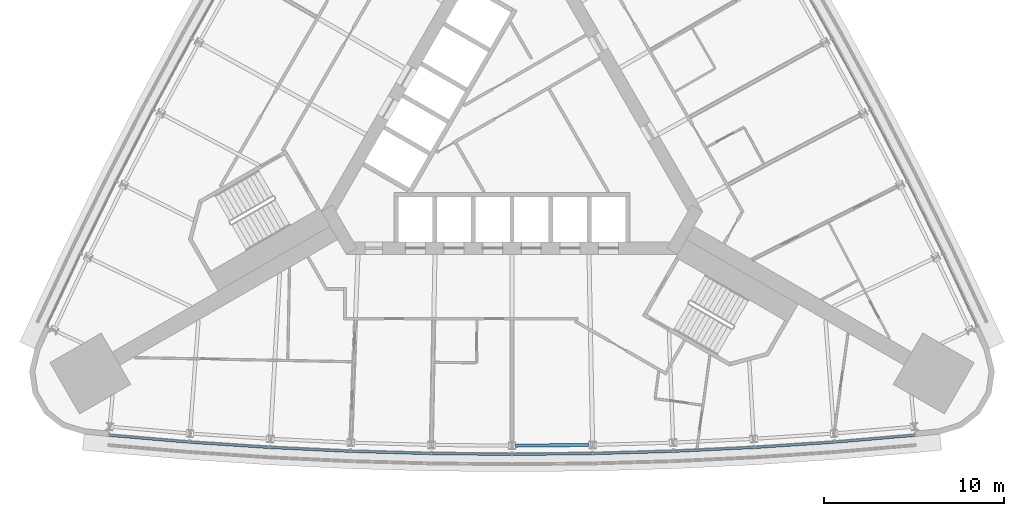
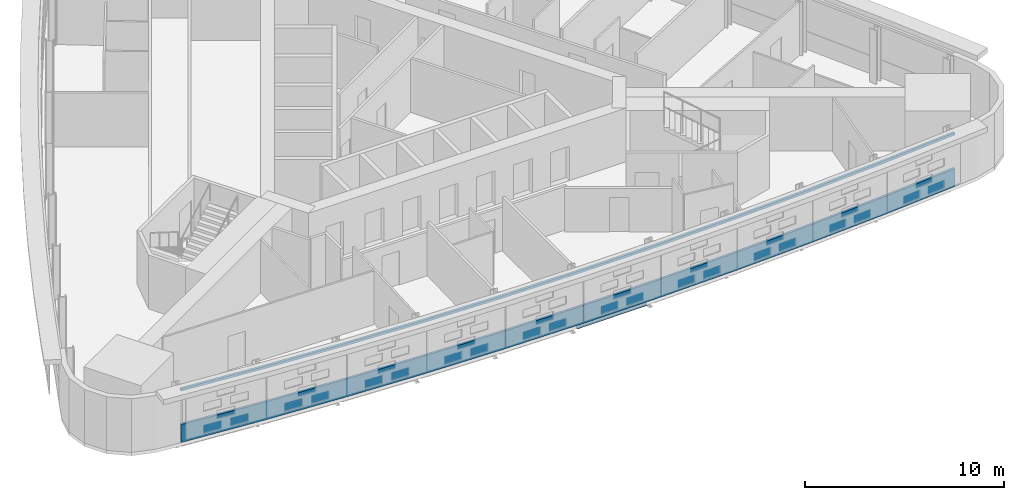
# One storey, part 3 of 15: 2 members, 1 beam, 1 element without a shape of its own.
"""IFC4 building model written with IfcOpenShell, lengths in metres."""

from ifc_helpers import new_model, si_unit, direction, frame, origin, origin_2d, place, context, subcontext, project, spatial, polyline, i_section, outline, extrude, material, material_profile, profile_set, type_object, element, aggregate, save


model = new_model("IFC4")

# Units and contexts
model_context = context("Model", 3, precision=1e-05, world=origin(), true_north=direction((0.0, 1.0)))
body_context = subcontext(model_context, "Body", "Model", "MODEL_VIEW")
ifc_project = project(units=[si_unit("LENGTHUNIT", "METRE"), si_unit("AREAUNIT", "SQUARE_METRE"), si_unit("VOLUMEUNIT", "CUBIC_METRE"), si_unit("PLANEANGLEUNIT", "RADIAN"), si_unit("MASSUNIT", "GRAM", prefix="KILO")], contexts=[model_context])

# Site, building, storey
site_placement = place(None, origin())
site = spatial("IfcSite", under=ifc_project, at=site_placement, CompositionType="ELEMENT")
building_placement = place(site_placement, origin())
building = spatial("IfcBuilding", under=site, at=building_placement, Name="Noor Cloister Tower", CompositionType="ELEMENT")
storey_placement = place(building_placement, frame((0.0, 0.0, 49.199951171875)))
storey = spatial("IfcBuildingStorey", under=building, at=storey_placement, Name="L12", CompositionType="ELEMENT", Elevation=49.199951171875)

# Curtain wall, members
ifc_material_1 = material(Name="Aluminium 6063-T6 anodised", Category="aluminium")
curtain_wall_type = type_object("IfcCurtainWallType", Name="Ribbon curtain wall, lower tower CW1", PredefinedType="NOTDEFINED", material=ifc_material_1)
curtain_wall_placement = place(storey_placement, origin())
curtain_wall = element("IfcCurtainWall", 1, at=curtain_wall_placement, inside=storey, type_object=curtain_wall_type, Name="CW1 L12 S run 2", PredefinedType="NOTDEFINED")
ifc_material_2 = material(Name="Aluminium 6063-T6 anodised", Category="aluminium")
member_type_1 = type_object("IfcMemberType", Name="Head transom CW1 150", PredefinedType="USERDEFINED", material=ifc_material_2)
member_1_placement = place(storey_placement, frame((0.0, 0.0, 3.150146484375)))
member_1 = element("IfcMember", 2, at=member_1_placement, type_object=member_type_1, Name="CW1 head transom", ObjectType="TRANSOM", PredefinedType="USERDEFINED", context=body_context, shape_type="SweptSolid", body=[
    extrude(outline(polyline([(-22.466552734375, -17.06787109375), (-17.98291015625, -17.450439453125), (-13.49267578125, -17.748291015625), (-8.997802734375, -17.9609375), (-4.499755859375, -18.088623046875), (0.0, -18.131103515625), (4.499755859375, -18.088623046875), (8.997802734375, -17.9609375), (13.49267578125, -17.748291015625), (17.98291015625, -17.450439453125), (22.466552734375, -17.06787109375), (22.45458984375, -16.928466796875), (17.97216796875, -17.31103515625), (13.48486328125, -17.6083984375), (8.99267578125, -17.821044921875), (4.4970703125, -17.94873046875), (0.0, -17.9912109375), (-4.4970703125, -17.94873046875), (-8.99267578125, -17.821044921875), (-13.48486328125, -17.6083984375), (-17.97216796875, -17.31103515625), (-22.45458984375, -16.928466796875), (-22.466552734375, -17.06787109375)])), origin(), (0.0, 0.0, 1.0), 0.14990234375),
])
ifc_material_3 = material(Name="Aluminium 6063-T6 anodised", Category="aluminium")
member_type_2 = type_object("IfcMemberType", Name="Sill transom CW1 1100", PredefinedType="USERDEFINED", material=ifc_material_3)
member_2_placement = place(storey_placement, origin())
member_2 = element("IfcMember", 3, at=member_2_placement, type_object=member_type_2, Name="CW1 sill transom", ObjectType="TRANSOM", PredefinedType="USERDEFINED", context=body_context, shape_type="SweptSolid", body=[
    extrude(outline(polyline([(-22.466552734375, -17.06787109375), (-17.98291015625, -17.450439453125), (-13.49267578125, -17.748291015625), (-8.997802734375, -17.9609375), (-4.499755859375, -18.088623046875), (0.0, -18.131103515625), (4.499755859375, -18.088623046875), (8.997802734375, -17.9609375), (13.49267578125, -17.748291015625), (17.98291015625, -17.450439453125), (22.466552734375, -17.06787109375), (22.45458984375, -16.928466796875), (17.97216796875, -17.31103515625), (13.48486328125, -17.6083984375), (8.99267578125, -17.821044921875), (4.4970703125, -17.94873046875), (0.0, -17.9912109375), (-4.4970703125, -17.94873046875), (-8.99267578125, -17.821044921875), (-13.48486328125, -17.6083984375), (-17.97216796875, -17.31103515625), (-22.45458984375, -16.928466796875), (-22.466552734375, -17.06787109375)])), origin(), (0.0, 0.0, 1.0), 1.10009765625),
])
aggregate(curtain_wall, [member_2, member_1])

# Beam
ifc_material_4 = material(Name="Steel ASTM A992 Gr 50", Category="steel")
ifc_material_profile = material_profile(ifc_material_4, i_section(OverallWidth=0.177978515625, OverallDepth=0.406005859375, WebThickness=0.0078125, FlangeThickness=0.0126953125, FilletRadius=0.01025390625, at=origin_2d()), Name="W410x60")
ifc_profile_set = profile_set([ifc_material_profile], Name="Steel ASTM A992 Gr 50")
beam_type = type_object("IfcBeamType", Name="Spandrel beam W410x60", PredefinedType="SPANDREL", material=ifc_profile_set)
beam_placement = place(storey_placement, frame((0.201904296875, -17.579345703125, -0.40283203125), z_axis=(0.999954862727, 0.009501184605, 0.0), x_axis=(-0.009501184605, 0.999954862727, 0.0)))
element("IfcBeam", 4, at=beam_placement, inside=storey, type_object=beam_type, Name="Spandrel beam S 06 L12", PredefinedType="SPANDREL", context=body_context, shape_type="SweptSolid", body=[
    extrude(i_section(OverallWidth=0.177978515625, OverallDepth=0.406005859375, WebThickness=0.0078125, FlangeThickness=0.0126953125, FilletRadius=0.01025390625, at=origin_2d()), origin(), (0.0, 0.0, 1.0), 4.085693359375),
])

save(model, "model.ifc")
